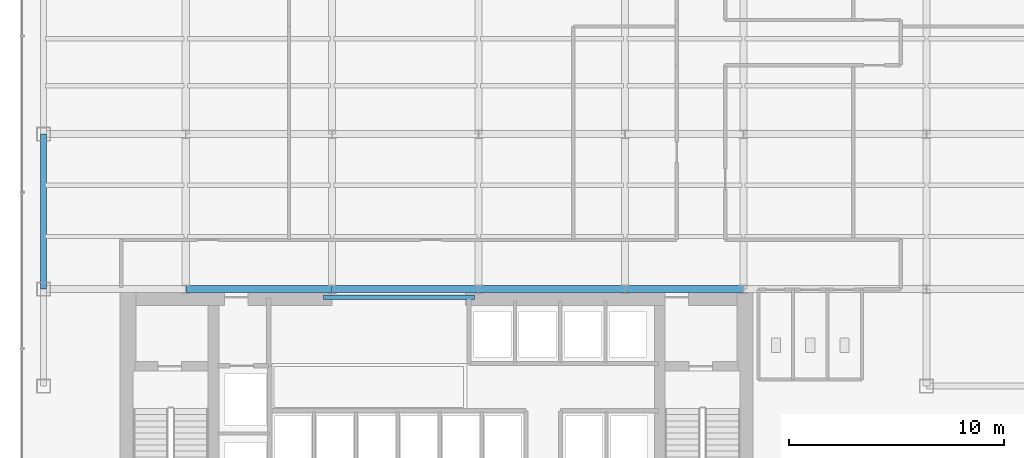
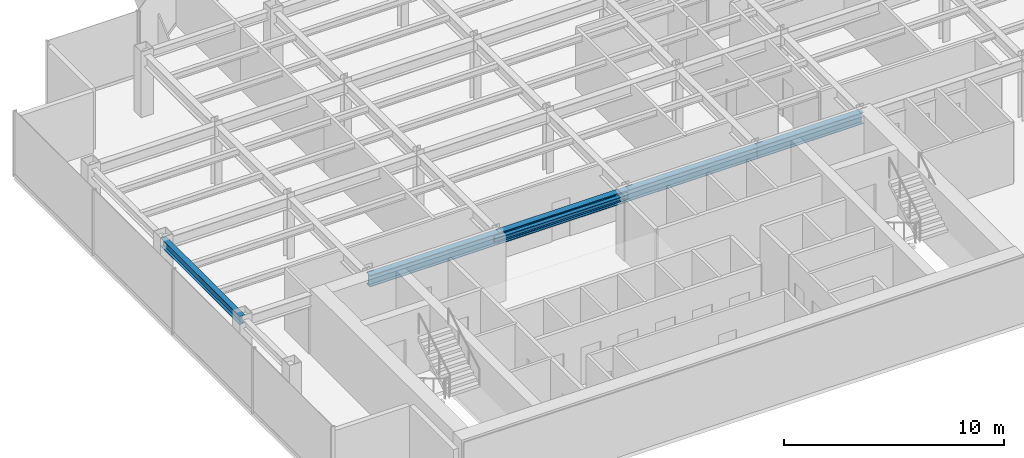
# One storey, part 4 of 25: 6 beams.
"""IFC4 building model written with IfcOpenShell, lengths in metres."""

from ifc_helpers import new_model, si_unit, derived_unit, direction, frame, origin, origin_2d, place, context, subcontext, project, spatial, i_section, extrude, source, transform, mapped, material, material_profile, profile_set, type_object, element, save


model = new_model("IFC4")

# Units and contexts
model_context = context("Model", 3, precision=1e-05, world=origin(), true_north=direction((0.0, 1.0)))
body_context = subcontext(model_context, "Body", "Model", "MODEL_VIEW")
ifc_project = project(units=[si_unit("LENGTHUNIT", "METRE"), si_unit("AREAUNIT", "SQUARE_METRE"), si_unit("VOLUMEUNIT", "CUBIC_METRE"), si_unit("PLANEANGLEUNIT", "RADIAN"), si_unit("MASSUNIT", "GRAM", prefix="KILO"), derived_unit("THERMALTRANSMITTANCEUNIT", [(si_unit("POWERUNIT", "WATT"), 1), (si_unit("LENGTHUNIT", "METRE"), -2), (si_unit("THERMODYNAMICTEMPERATUREUNIT", "KELVIN"), -1)])], contexts=[model_context])

# Site, building, storey
site_placement = place(None, origin())
site = spatial("IfcSite", under=ifc_project, at=site_placement, CompositionType="ELEMENT")
building_placement = place(site_placement, origin())
building = spatial("IfcBuilding", under=site, at=building_placement, Name="Skarnbrae Concourse Arena and Tower", CompositionType="ELEMENT")
storey_placement = place(building_placement, frame((0.0, 0.0, 151.550048828125)))
storey = spatial("IfcBuildingStorey", under=building, at=storey_placement, Name="L38", CompositionType="ELEMENT", Elevation=151.550048828125)

# Beams
ifc_material = material(Name="Steel CSA G40.21 350W", Category="steel")
ifc_material_profile_1 = material_profile(ifc_material, i_section(OverallWidth=0.202880859375, OverallDepth=0.251953125, WebThickness=0.008056640625, FlangeThickness=0.013427734375, at=origin_2d()), Name="W250X58")
ifc_profile_set_1 = profile_set([ifc_material_profile_1], Name="Steel CSA G40.21 350W")
beam_type_1 = type_object("IfcBeamType", Name="BM-LINTEL-W250X58", PredefinedType="LINTEL", material=ifc_profile_set_1)
shared_shape_1 = source(origin(), body_context, "Body", "SweptSolid", [
    extrude(i_section(OverallWidth=0.202880859375, OverallDepth=0.251953125, WebThickness=0.008056640625, FlangeThickness=0.013427734375, at=origin_2d()), origin(), (0.0, 0.0, 1.0), 7.0),
])
beam_1_placement = place(storey_placement, frame((14.0, 13.625, 3.27392578125), z_axis=(1.0, 0.0, 0.0), x_axis=(0.0, 1.0, 0.0)))
element("IfcBeam", 1, at=beam_1_placement, inside=storey, type_object=beam_type_1, Name="L38 Core portal coupling lintel", PredefinedType="LINTEL", context=body_context, shape_type="MappedRepresentation", body=[
    mapped(shared_shape_1, transform((0.0, 0.0, 0.0))),
])
ifc_material_profile_2 = material_profile(ifc_material, i_section(OverallWidth=0.3291015625, OverallDepth=0.635009765625, WebThickness=0.017822265625, FlangeThickness=0.031005859375, at=origin_2d()), Name="W610X241")
ifc_profile_set_2 = profile_set([ifc_material_profile_2], Name="Steel CSA G40.21 350W")
beam_type_2 = type_object("IfcBeamType", Name="BM-GIRD-W610X241", PredefinedType="BEAM", material=ifc_profile_set_2)
shared_shape_2 = source(origin(), body_context, "Body", "SweptSolid", [
    extrude(i_section(OverallWidth=0.3291015625, OverallDepth=0.635009765625, WebThickness=0.017822265625, FlangeThickness=0.031005859375, at=origin_2d()), origin(), (0.0, 0.0, 1.0), 6.7998046875),
])
beam_2_placement = place(storey_placement, frame((7.60009765625, 14.0, 3.08251953125), z_axis=(1.0, 0.0, 0.0), x_axis=(0.0, 1.0, 0.0)))
element("IfcBeam", 2, at=beam_2_placement, inside=storey, type_object=beam_type_2, Name="L38 Primary E-W girder Y14.0-2", PredefinedType="BEAM", context=body_context, shape_type="MappedRepresentation", body=[
    mapped(shared_shape_2, transform((0.0, 0.0, 0.0))),
])
shared_shape_3 = source(origin(), body_context, "Body", "SweptSolid", [
    extrude(i_section(OverallWidth=0.3291015625, OverallDepth=0.635009765625, WebThickness=0.017822265625, FlangeThickness=0.031005859375, at=origin_2d()), origin(), (0.0, 0.0, 1.0), 6.800048828125),
])
for number, where, z_axis, x_axis, name in (
    (3, (14.39990234375, 14.0, 3.08251953125), (1.0, 0.0, 0.0), (0.0, 1.0, 0.0), "L38 Primary E-W girder Y14.0-3"),
    (4, (21.199951171875, 14.0, 3.08251953125), (1.0, 0.0, 0.0), (0.0, 1.0, 0.0), "L38 Primary E-W girder Y14.0-4"),
):
    element("IfcBeam", number, at=place(storey_placement, frame(where, z_axis=z_axis, x_axis=x_axis)), inside=storey, type_object=beam_type_2, Name=name, PredefinedType="BEAM", context=body_context, shape_type="MappedRepresentation", body=[
        mapped(shared_shape_3, transform((0.0, 0.0, 0.0))),
    ])
shared_shape_4 = source(origin(), body_context, "Body", "SweptSolid", [
    extrude(i_section(OverallWidth=0.3291015625, OverallDepth=0.635009765625, WebThickness=0.017822265625, FlangeThickness=0.031005859375, at=origin_2d()), origin(), (0.0, 0.0, 1.0), 5.5),
])
beam_3_placement = place(storey_placement, frame((28.0, 14.0, 3.08251953125), z_axis=(1.0, 0.0, 0.0), x_axis=(0.0, 1.0, 0.0)))
element("IfcBeam", 5, at=beam_3_placement, inside=storey, type_object=beam_type_2, Name="L38 Primary E-W girder Y14.0-5", PredefinedType="BEAM", context=body_context, shape_type="MappedRepresentation", body=[
    mapped(shared_shape_4, transform((0.0, 0.0, 0.0))),
])
ifc_material_profile_3 = material_profile(ifc_material, i_section(OverallWidth=0.280029296875, OverallDepth=0.462890625, WebThickness=0.0107421875, FlangeThickness=0.017333984375, at=origin_2d()), Name="W460X113")
ifc_profile_set_3 = profile_set([ifc_material_profile_3], Name="Steel CSA G40.21 350W")
beam_type_3 = type_object("IfcBeamType", Name="BM-SPAN-W460X113", PredefinedType="SPANDREL", material=ifc_profile_set_3)
shared_shape_5 = source(origin(), body_context, "Body", "SweptSolid", [
    extrude(i_section(OverallWidth=0.280029296875, OverallDepth=0.462890625, WebThickness=0.0107421875, FlangeThickness=0.017333984375, at=origin_2d()), origin(), (0.0, 0.0, 1.0), 7.199951171875),
])
beam_4_placement = place(storey_placement, frame((1.0, 14.0, 3.16845703125), z_axis=(0.0, 1.0, 0.0), x_axis=(-1.0, 0.0, 0.0)))
element("IfcBeam", 6, at=beam_4_placement, inside=storey, type_object=beam_type_3, Name="L38 Perimeter spandrel X1.0-2", PredefinedType="SPANDREL", context=body_context, shape_type="MappedRepresentation", body=[
    mapped(shared_shape_5, transform((0.0, 0.0, 0.0))),
])

save(model, "model.ifc")
